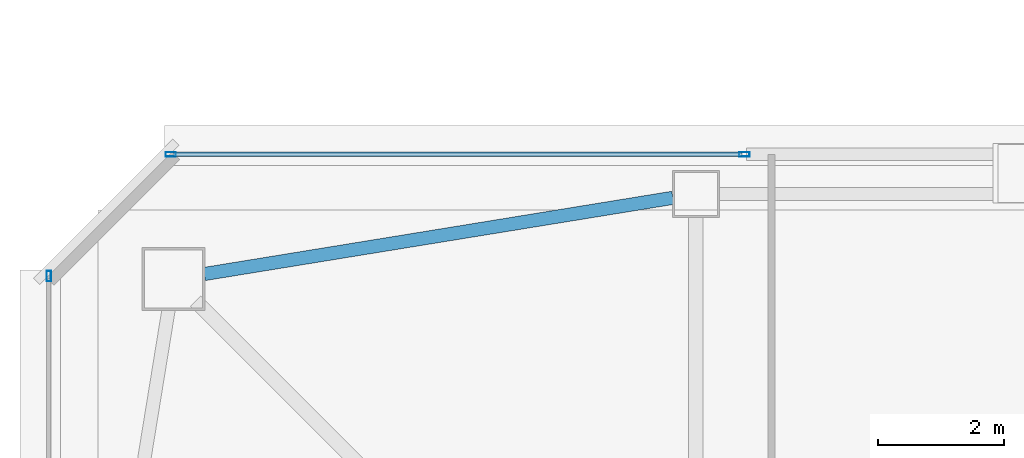
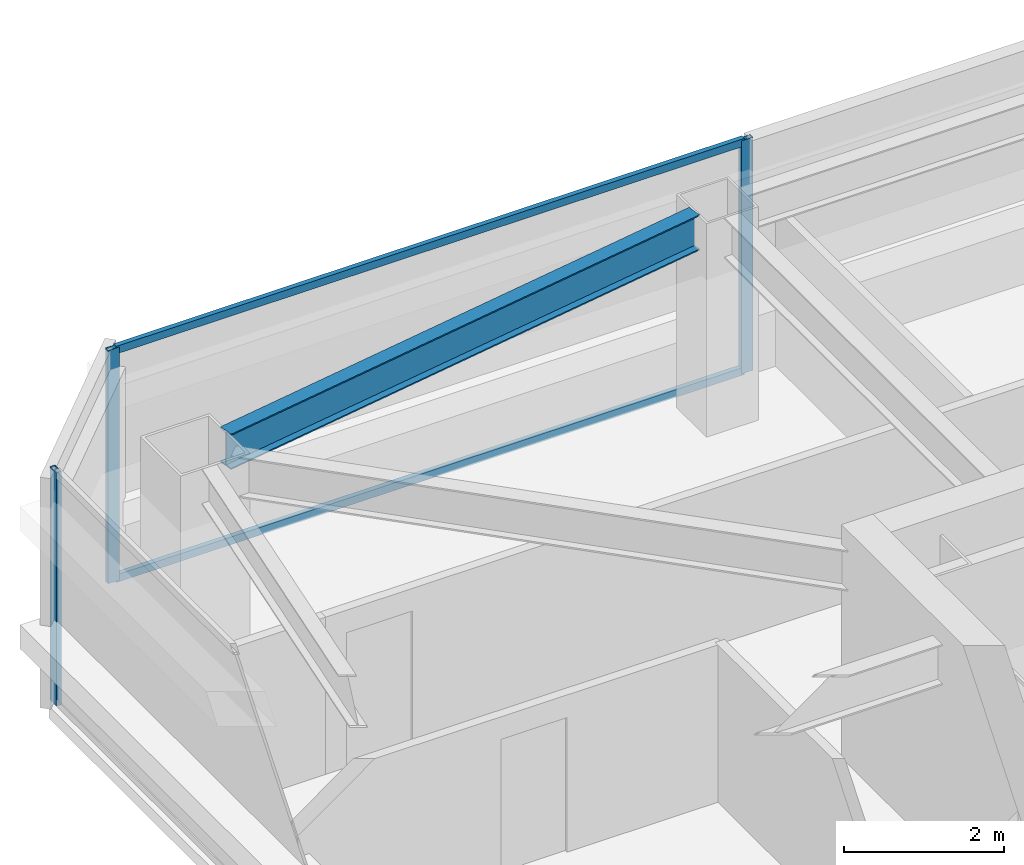
# One storey, part 13 of 39: 5 members, 1 beam, 2 elements without a shape of their own.
"""IFC4 building model written with IfcOpenShell, lengths in metres."""

from ifc_helpers import new_model, si_unit, direction, frame, origin, origin_2d, place, context, subcontext, project, spatial, hollow_rectangle, i_section, extrude, material, material_profile, profile_set, type_object, element, aggregate, save


model = new_model("IFC4")

# Units and contexts
model_context = context("Model", 3, precision=1e-05, world=origin(), true_north=direction((0.0, 1.0)))
body_context = subcontext(model_context, "Body", "Model", "MODEL_VIEW")
ifc_project = project(units=[si_unit("LENGTHUNIT", "METRE"), si_unit("AREAUNIT", "SQUARE_METRE"), si_unit("VOLUMEUNIT", "CUBIC_METRE"), si_unit("PLANEANGLEUNIT", "RADIAN"), si_unit("MASSUNIT", "GRAM", prefix="KILO")], contexts=[model_context])

# Site, building, storey
site_placement = place(None, origin())
site = spatial("IfcSite", under=ifc_project, at=site_placement, CompositionType="ELEMENT")
building_placement = place(site_placement, origin())
building = spatial("IfcBuilding", under=site, at=building_placement, Name="Tashvorn Skyway Center", CompositionType="ELEMENT")
storey_placement = place(building_placement, frame((0.0, 0.0, 243.25)))
storey = spatial("IfcBuildingStorey", under=building, at=storey_placement, Name="L66", CompositionType="ELEMENT", Elevation=243.25)

# Beam
ifc_material_1 = material(Name="Steel ASTM A992 Grade 50", Category="steel")
ifc_material_profile_1 = material_profile(ifc_material_1, i_section(OverallWidth=0.2109375, OverallDepth=0.5390625, WebThickness=0.01171875, FlangeThickness=0.018798828125, at=origin_2d()), Name="W21X73")
ifc_profile_set_1 = profile_set([ifc_material_profile_1], Name="Steel ASTM A992 Grade 50")
beam_type = type_object("IfcBeamType", Name="BM-SPANDREL-W21X73", PredefinedType="SPANDREL", material=ifc_profile_set_1)
beam_placement = place(storey_placement, frame((36.23486328125, 46.990478515625, 2.98046875), z_axis=(-0.987033514444, -0.160514302677, 0.0), x_axis=(0.160514302677, -0.987033514444, 0.0)))
element("IfcBeam", 1, at=beam_placement, inside=storey, type_object=beam_type, Name="Tower 1 L66 Spandrel Beam 09", PredefinedType="SPANDREL", context=body_context, shape_type="SweptSolid", body=[
    extrude(i_section(OverallWidth=0.2109375, OverallDepth=0.5390625, WebThickness=0.01171875, FlangeThickness=0.018798828125, at=origin_2d()), origin(), (0.0, 0.0, 1.0), 7.544189453125),
])

# Curtain wall, member
ifc_material_2 = material(Name="Thermally broken bronze-anodized aluminium 6063-T6", Category="aluminium")
curtain_wall_type = type_object("IfcCurtainWallType", Name="CW-CW-Z5", PredefinedType="NOTDEFINED", material=ifc_material_2)
curtain_wall_1_placement = place(storey_placement, origin())
curtain_wall_1 = element("IfcCurtainWall", 2, at=curtain_wall_1_placement, inside=storey, type_object=curtain_wall_type, Name="Tower 1 L66 West Unitised Curtain Wall Glazing Group 2", PredefinedType="NOTDEFINED")
ifc_material_profile_2 = material_profile(ifc_material_2, hollow_rectangle(XDim=0.070068359375, YDim=0.1650390625, WallThickness=0.00390625, at=origin_2d()), Name="ALU-MULL-70x165")
ifc_profile_set_2 = profile_set([ifc_material_profile_2], Name="Thermally broken bronze-anodized aluminium 6063-T6")
member_type_1 = type_object("IfcMemberType", Name="CWM-CW-Z5", PredefinedType="MULLION", material=ifc_profile_set_2)
member_1_placement = place(storey_placement, frame((26.320068359375, 45.7451171875, 0.0), z_axis=(0.0, 0.0, 1.0), x_axis=(-1.0, 0.0, 0.0)))
member_1 = element("IfcMember", 3, at=member_1_placement, type_object=member_type_1, Name="CW-Z5 mullion 2", PredefinedType="MULLION", context=body_context, shape_type="SweptSolid", body=[
    extrude(hollow_rectangle(XDim=0.070068359375, YDim=0.1650390625, WallThickness=0.00390625, at=origin_2d()), origin(), (0.0, 0.0, 1.0), 3.550048828125),
])
aggregate(curtain_wall_1, [member_1])

# Curtain wall, members
curtain_wall_2_placement = place(storey_placement, origin())
curtain_wall_2 = element("IfcCurtainWall", 4, at=curtain_wall_2_placement, inside=storey, type_object=curtain_wall_type, Name="Tower 1 L66 North Unitised Curtain Wall Glazing Group 1", PredefinedType="NOTDEFINED")
member_2_placement = place(storey_placement, frame((28.2548828125, 47.679931640625, 0.0), z_axis=(0.0, 0.0, 1.0), x_axis=(0.0, 1.0, 0.0)))
member_2 = element("IfcMember", 5, at=member_2_placement, type_object=member_type_1, Name="CW-Z5 mullion 1", PredefinedType="MULLION", context=body_context, shape_type="SweptSolid", body=[
    extrude(hollow_rectangle(XDim=0.070068359375, YDim=0.1650390625, WallThickness=0.00390625, at=origin_2d()), origin(), (0.0, 0.0, 1.0), 3.550048828125),
])
member_3_placement = place(storey_placement, frame((37.37158203125, 47.679931640625, 0.0), z_axis=(0.0, 0.0, 1.0), x_axis=(0.0, 1.0, 0.0)))
member_3 = element("IfcMember", 6, at=member_3_placement, type_object=member_type_1, Name="CW-Z5 mullion 2", PredefinedType="MULLION", context=body_context, shape_type="SweptSolid", body=[
    extrude(hollow_rectangle(XDim=0.070068359375, YDim=0.1650390625, WallThickness=0.00390625, at=origin_2d()), origin(), (0.0, 0.0, 1.0), 3.550048828125),
])
ifc_material_profile_3 = material_profile(ifc_material_2, hollow_rectangle(XDim=0.070068359375, YDim=0.114990234375, WallThickness=0.00390625, at=origin_2d()), Name="ALU-TRAN-70x115")
ifc_profile_set_3 = profile_set([ifc_material_profile_3], Name="Thermally broken bronze-anodized aluminium 6063-T6")
member_type_2 = type_object("IfcMemberType", Name="CWT-CW-Z5", PredefinedType="USERDEFINED", material=ifc_profile_set_3)
member_4_placement = place(storey_placement, frame((28.2900390625, 47.679931640625, 0.034912109375), z_axis=(1.0, 0.0, 0.0), x_axis=(0.0, 1.0, 0.0)))
member_4 = element("IfcMember", 7, at=member_4_placement, type_object=member_type_2, Name="CW-Z5 transom 1.1", ObjectType="TRANSOM", PredefinedType="USERDEFINED", context=body_context, shape_type="SweptSolid", body=[
    extrude(hollow_rectangle(XDim=0.070068359375, YDim=0.114990234375, WallThickness=0.00390625, at=origin_2d()), origin(), (0.0, 0.0, 1.0), 9.046630859375),
])
member_5_placement = place(storey_placement, frame((28.2900390625, 47.679931640625, 3.514892578125), z_axis=(1.0, 0.0, 0.0), x_axis=(0.0, 1.0, 0.0)))
member_5 = element("IfcMember", 8, at=member_5_placement, type_object=member_type_2, Name="CW-Z5 transom 1.2", ObjectType="TRANSOM", PredefinedType="USERDEFINED", context=body_context, shape_type="SweptSolid", body=[
    extrude(hollow_rectangle(XDim=0.070068359375, YDim=0.114990234375, WallThickness=0.00390625, at=origin_2d()), origin(), (0.0, 0.0, 1.0), 9.046630859375),
])
aggregate(curtain_wall_2, [member_2, member_3, member_4, member_5])

save(model, "model.ifc")
